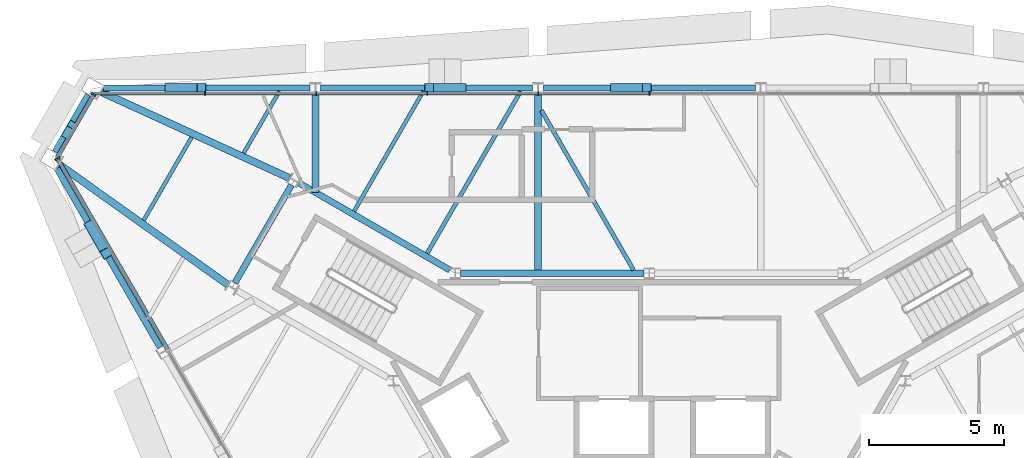
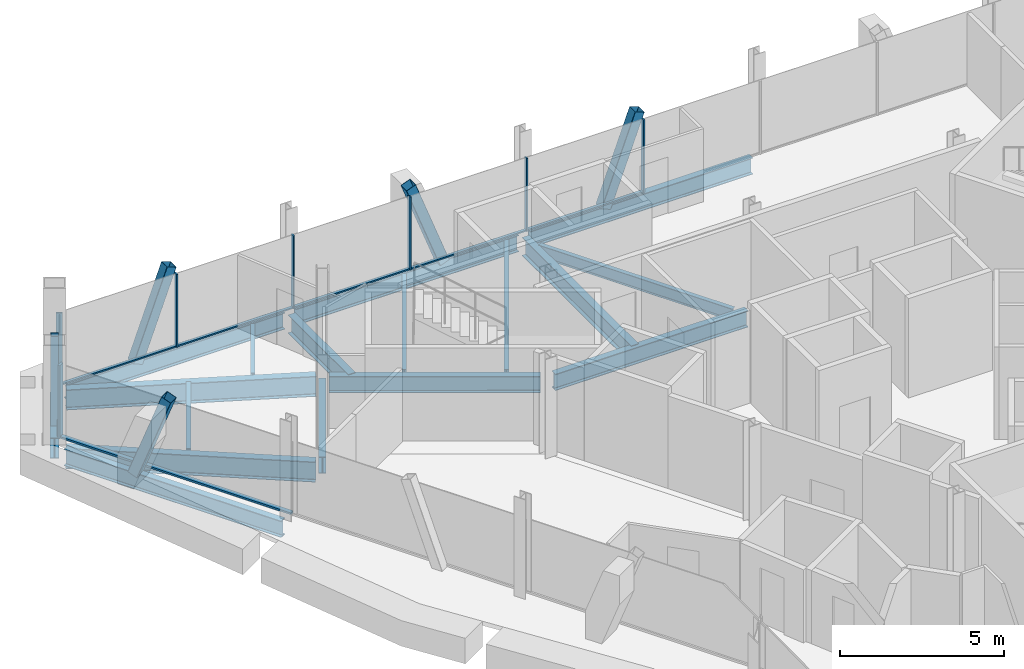
# One storey, part 5 of 12: 19 members, 17 beams, 3 elements without a shape of their own.
"""IFC4 building model written with IfcOpenShell, lengths in metres."""

from ifc_helpers import new_model, si_unit, direction, frame, origin, origin_2d, place, context, subcontext, project, spatial, rectangle, hollow_rectangle, i_section, extrude, material, material_profile, profile_set, type_object, element, aggregate, save


model = new_model("IFC4")

# Units and contexts
model_context = context("Model", 3, precision=1e-05, world=origin(), true_north=direction((0.0, 1.0)))
body_context = subcontext(model_context, "Body", "Model", "MODEL_VIEW")
ifc_project = project(units=[si_unit("LENGTHUNIT", "METRE"), si_unit("AREAUNIT", "SQUARE_METRE"), si_unit("VOLUMEUNIT", "CUBIC_METRE"), si_unit("PLANEANGLEUNIT", "RADIAN"), si_unit("MASSUNIT", "GRAM", prefix="KILO")], contexts=[model_context])

# Site, building, storey
site_placement = place(None, origin())
site = spatial("IfcSite", under=ifc_project, at=site_placement, CompositionType="ELEMENT")
building_placement = place(site_placement, origin())
building = spatial("IfcBuilding", under=site, at=building_placement, Name="Verrane Prism Tower", CompositionType="ELEMENT")
storey_placement = place(building_placement, frame((0.0, 0.0, 271.39990234375)))
storey = spatial("IfcBuildingStorey", under=building, at=storey_placement, Name="L68", CompositionType="ELEMENT", Elevation=271.39990234375)

# Member
ifc_material_1 = material(Name="Steel A500 Grade C", Category="steel")
ifc_material_profile_1 = material_profile(ifc_material_1, hollow_rectangle(XDim=0.25390625, YDim=0.25390625, WallThickness=0.009521484375, InnerFilletRadius=0.0048828125, OuterFilletRadius=0.014404296875, at=origin_2d()), Name="HSS10x10x3/8")
ifc_profile_set_1 = profile_set([ifc_material_profile_1], Name="Steel A500 Grade C")
member_type_1 = type_object("IfcMemberType", Name="Chamfer brace HSS10x10x3/8", PredefinedType="BRACE", material=ifc_profile_set_1)
member_1_placement = place(storey_placement, frame((-21.593017578125, 11.931640625, -0.242431640625), z_axis=(0.067784448094, 0.117358148939, 0.990773603541), x_axis=(-0.865936922628, 0.500153222552, 0.0)))
element("IfcMember", 1, at=member_1_placement, inside=storey, type_object=member_type_1, Name="Chamfer brace NW0 L68", PredefinedType="BRACE", context=body_context, shape_type="SweptSolid", body=[
    extrude(hollow_rectangle(XDim=0.25390625, YDim=0.25390625, WallThickness=0.009521484375, InnerFilletRadius=0.0048828125, OuterFilletRadius=0.014404296875, at=origin_2d()), origin(), (0.0, 0.0, 1.0), 3.13720703125),
])

# Beams
ifc_material_2 = material(Name="Steel A992", Category="steel")
ifc_material_profile_2 = material_profile(ifc_material_2, i_section(OverallWidth=0.2666015625, OverallDepth=0.7568359375, WebThickness=0.013916015625, FlangeThickness=0.019287109375, FilletRadius=0.0166015625, at=origin_2d()), Name="W30x108")
ifc_profile_set_2 = profile_set([ifc_material_profile_2], Name="Steel A992")
beam_type_1 = type_object("IfcBeamType", Name="Chamfer spandrel beam W30x108", PredefinedType="SPANDREL", material=ifc_profile_set_2)
beam_1_placement = place(storey_placement, frame((-20.75, 13.390380859375, -0.538330078125), z_axis=(-0.500436097356, -0.865773476415, 0.0), x_axis=(0.865773476415, -0.500436097356, 0.0)))
element("IfcBeam", 2, at=beam_1_placement, inside=storey, type_object=beam_type_1, Name="Chamfer spandrel beam L68", PredefinedType="SPANDREL", context=body_context, shape_type="SweptSolid", body=[
    extrude(i_section(OverallWidth=0.2666015625, OverallDepth=0.7568359375, WebThickness=0.013916015625, FlangeThickness=0.019287109375, FilletRadius=0.0166015625, at=origin_2d()), origin(), (0.0, 0.0, 1.0), 2.437744140625),
])
ifc_material_3 = material(Name="Steel A992", Category="steel")
ifc_material_profile_3 = material_profile(ifc_material_3, i_section(OverallWidth=0.23046875, OverallDepth=0.6171875, WebThickness=0.01318359375, FlangeThickness=0.022216796875, FilletRadius=0.012939453125, at=origin_2d()), Name="W24x94")
ifc_profile_set_3 = profile_set([ifc_material_profile_3], Name="Steel A992")
beam_type_2 = type_object("IfcBeamType", Name="Core ring girder W24x94", PredefinedType="BEAM", material=ifc_profile_set_3)
beam_2_placement = place(storey_placement, frame((-0.199462890625, 6.800048828125, -0.55859375), z_axis=(-1.0, 0.0, 0.0), x_axis=(0.0, -1.0, 0.0)))
element("IfcBeam", 3, at=beam_2_placement, inside=storey, type_object=beam_type_2, Name="Core ring girder L68", PredefinedType="BEAM", context=body_context, shape_type="SweptSolid", body=[
    extrude(i_section(OverallWidth=0.23046875, OverallDepth=0.6171875, WebThickness=0.01318359375, FlangeThickness=0.022216796875, FilletRadius=0.012939453125, at=origin_2d()), origin(), (0.0, 0.0, 1.0), 6.78125),
])
beam_3_placement = place(storey_placement, frame((-7.37939453125, 6.9150390625, -0.55859375), z_axis=(-0.866080992722, 0.499903704773, 0.0), x_axis=(-0.499903704773, -0.866080992722, 0.0)))
element("IfcBeam", 4, at=beam_3_placement, inside=storey, type_object=beam_type_2, Name="Core ring girder L68", PredefinedType="BEAM", context=body_context, shape_type="SweptSolid", body=[
    extrude(i_section(OverallWidth=0.23046875, OverallDepth=0.6171875, WebThickness=0.01318359375, FlangeThickness=0.022216796875, FilletRadius=0.012939453125, at=origin_2d()), origin(), (0.0, 0.0, 1.0), 6.451904296875),
])
beam_4_placement = place(storey_placement, frame((-13.240478515625, 10.06640625, -0.55859375), z_axis=(-0.500306681185, -0.865848268903, 0.0), x_axis=(0.865848268903, -0.500306681185, 0.0)))
element("IfcBeam", 5, at=beam_4_placement, inside=storey, type_object=beam_type_2, Name="Core ring girder L68", PredefinedType="BEAM", context=body_context, shape_type="SweptSolid", body=[
    extrude(i_section(OverallWidth=0.23046875, OverallDepth=0.6171875, WebThickness=0.01318359375, FlangeThickness=0.022216796875, FilletRadius=0.012939453125, at=origin_2d()), origin(), (0.0, 0.0, 1.0), 4.195556640625),
])
ifc_material_4 = material(Name="Steel A992", Category="steel")
ifc_material_profile_4 = material_profile(ifc_material_4, i_section(OverallWidth=0.2666015625, OverallDepth=0.7568359375, WebThickness=0.013916015625, FlangeThickness=0.019287109375, FilletRadius=0.0166015625, at=origin_2d()), Name="W30x108")
ifc_profile_set_4 = profile_set([ifc_material_profile_4], Name="Steel A992")
beam_type_3 = type_object("IfcBeamType", Name="Corner girder W30x108", PredefinedType="BEAM", material=ifc_profile_set_4)
for number, where, z_axis, x_axis, name in (
    (6, (-20.2802734375, 13.50390625, -0.598388671875), (0.909481370613, -0.415744677065, 0.0), (0.415744677065, 0.909481370613, 0.0), "Corner girder L68"),
    (7, (-21.833740234375, 10.81591796875, -0.598388671875), (0.814401339816, -0.580302040067, 0.0), (0.580302040067, 0.814401339816, 0.0), "Corner girder L68"),
):
    element("IfcBeam", number, at=place(storey_placement, frame(where, z_axis=z_axis, x_axis=x_axis)), inside=storey, type_object=beam_type_3, Name=name, PredefinedType="BEAM", context=body_context, shape_type="SweptSolid", body=[
        extrude(i_section(OverallWidth=0.2666015625, OverallDepth=0.7568359375, WebThickness=0.013916015625, FlangeThickness=0.019287109375, FilletRadius=0.0166015625, at=origin_2d()), origin(), (0.0, 0.0, 1.0), 7.650634765625),
    ])

# Members
ifc_material_5 = material(Name="Steel A500 Grade C", Category="steel")
ifc_material_profile_5 = material_profile(ifc_material_5, hollow_rectangle(XDim=0.355712890625, YDim=0.355712890625, WallThickness=0.0126953125, InnerFilletRadius=0.00634765625, OuterFilletRadius=0.01904296875, at=origin_2d()), Name="HSS14x14x1/2")
ifc_profile_set_5 = profile_set([ifc_material_profile_5], Name="Steel A500 Grade C")
member_type_2 = type_object("IfcMemberType", Name="Facade brace HSS14x14x1/2", PredefinedType="BRACE", material=ifc_profile_set_5)
for number, where, z_axis, x_axis, name in (
    (8, (-1.27978515625, 13.64990234375, -0.216552734375), (0.34797434891, 0.0, 0.937504054658), (0.0, 1.0, 0.0), "Facade brace N2 L68"),
    (9, (-6.960205078125, 13.64990234375, -0.216552734375), (-0.34797434891, 0.0, 0.937504054658), (0.0, -1.0, 0.0), "Facade brace N3 L68"),
    (10, (-17.759765625, 13.64990234375, -0.216552734375), (0.34797434891, 0.0, 0.937504054658), (0.0, 1.0, 0.0), "Facade brace N4 L68"),
):
    element("IfcMember", number, at=place(storey_placement, frame(where, z_axis=z_axis, x_axis=x_axis)), inside=storey, type_object=member_type_2, Name=name, PredefinedType="BRACE", context=body_context, shape_type="SweptSolid", body=[
        extrude(hollow_rectangle(XDim=0.355712890625, YDim=0.355712890625, WallThickness=0.0126953125, InnerFilletRadius=0.00634765625, OuterFilletRadius=0.01904296875, at=origin_2d()), origin(), (0.0, 0.0, 1.0), 3.4091796875),
    ])
member_2_placement = place(storey_placement, frame((-20.699951171875, 8.55908203125, -0.216552734375), z_axis=(0.174010693257, -0.30154692564, 0.937437854084), x_axis=(0.86613421761, 0.499811481546, 0.0)))
element("IfcMember", 11, at=member_2_placement, inside=storey, type_object=member_type_2, Name="Facade brace SW0 L68", PredefinedType="BRACE", context=body_context, shape_type="SweptSolid", body=[
    extrude(hollow_rectangle(XDim=0.355712890625, YDim=0.355712890625, WallThickness=0.0126953125, InnerFilletRadius=0.00634765625, OuterFilletRadius=0.01904296875, at=origin_2d()), origin(), (0.0, 0.0, 1.0), 3.409423828125),
])

# Beams
ifc_material_6 = material(Name="Steel A992", Category="steel")
ifc_material_profile_6 = material_profile(ifc_material_6, i_section(OverallWidth=0.140380859375, OverallDepth=0.40380859375, WebThickness=0.007080078125, FlangeThickness=0.01123046875, FilletRadius=0.01025390625, at=origin_2d()), Name="W16x31")
ifc_profile_set_6 = profile_set([ifc_material_profile_6], Name="Steel A992")
beam_type_4 = type_object("IfcBeamType", Name="Floor beam W16x31", PredefinedType="BEAM", material=ifc_profile_set_6)
beam_5_placement = place(storey_placement, frame((-10.925048828125, 9.094482421875, -0.36181640625), z_axis=(0.500005474671, 0.866022242959, 0.0), x_axis=(-0.866022242959, 0.500005474671, 0.0)))
element("IfcBeam", 12, at=beam_5_placement, inside=storey, type_object=beam_type_4, Name="Floor beam L68", PredefinedType="BEAM", context=body_context, shape_type="SweptSolid", body=[
    extrude(i_section(OverallWidth=0.140380859375, OverallDepth=0.40380859375, WebThickness=0.007080078125, FlangeThickness=0.01123046875, FilletRadius=0.01025390625, at=origin_2d()), origin(), (0.0, 0.0, 1.0), 5.12744140625),
])
beam_6_placement = place(storey_placement, frame((-15.01123046875, 11.2421875, -0.36181640625), z_axis=(0.50007632508, 0.865981332994, 0.0), x_axis=(-0.865981332994, 0.50007632508, 0.0)))
element("IfcBeam", 13, at=beam_6_placement, inside=storey, type_object=beam_type_4, Name="Floor beam L68", PredefinedType="BEAM", context=body_context, shape_type="SweptSolid", body=[
    extrude(i_section(OverallWidth=0.140380859375, OverallDepth=0.40380859375, WebThickness=0.007080078125, FlangeThickness=0.01123046875, FilletRadius=0.01025390625, at=origin_2d()), origin(), (0.0, 0.0, 1.0), 2.6474609375),
])
beam_7_placement = place(storey_placement, frame((-18.712158203125, 8.755615234375, -0.36181640625), z_axis=(0.499986454343, 0.866033224232, 0.0), x_axis=(-0.866033224232, 0.499986454343, 0.0)))
element("IfcBeam", 14, at=beam_7_placement, inside=storey, type_object=beam_type_4, Name="Floor beam L68", PredefinedType="BEAM", context=body_context, shape_type="SweptSolid", body=[
    extrude(i_section(OverallWidth=0.140380859375, OverallDepth=0.40380859375, WebThickness=0.007080078125, FlangeThickness=0.01123046875, FilletRadius=0.01025390625, at=origin_2d()), origin(), (0.0, 0.0, 1.0), 3.548828125),
])
ifc_material_7 = material(Name="Steel A992", Category="steel")
ifc_material_profile_7 = material_profile(ifc_material_7, i_section(OverallWidth=0.15234375, OverallDepth=0.449462890625, WebThickness=0.007568359375, FlangeThickness=0.0107421875, FilletRadius=0.01025390625, at=origin_2d()), Name="W18x35")
ifc_profile_set_7 = profile_set([ifc_material_profile_7], Name="Steel A992")
beam_type_5 = type_object("IfcBeamType", Name="Floor beam W18x35", PredefinedType="BEAM", material=ifc_profile_set_7)
beam_8_placement = place(storey_placement, frame((-0.583251953125, 6.9150390625, -0.384765625), z_axis=(-0.499997234054, 0.866027000698, 0.0), x_axis=(-0.866027000698, -0.499997234054, 0.0)))
element("IfcBeam", 15, at=beam_8_placement, inside=storey, type_object=beam_type_5, Name="Floor beam L68", PredefinedType="BEAM", context=body_context, shape_type="SweptSolid", body=[
    extrude(i_section(OverallWidth=0.15234375, OverallDepth=0.449462890625, WebThickness=0.007568359375, FlangeThickness=0.0107421875, FilletRadius=0.01025390625, at=origin_2d()), origin(), (0.0, 0.0, 1.0), 6.8193359375),
])
beam_9_placement = place(storey_placement, frame((-8.22265625, 7.53466796875, -0.384765625), z_axis=(0.500012221024, 0.866018347858, 0.0), x_axis=(-0.866018347858, 0.500012221024, 0.0)))
element("IfcBeam", 16, at=beam_9_placement, inside=storey, type_object=beam_type_5, Name="Floor beam L68", PredefinedType="BEAM", context=body_context, shape_type="SweptSolid", body=[
    extrude(i_section(OverallWidth=0.15234375, OverallDepth=0.449462890625, WebThickness=0.007568359375, FlangeThickness=0.0107421875, FilletRadius=0.01025390625, at=origin_2d()), origin(), (0.0, 0.0, 1.0), 6.928466796875),
])

# Curtain wall, members
ifc_material_8 = material(Name="Aluminium framed insulated glazing", Category="aluminium")
curtain_wall_type_1 = type_object("IfcCurtainWallType", Name="Curtain wall CW-C 4200 module", PredefinedType="NOTDEFINED", material=ifc_material_8)
curtain_wall_1_placement = place(storey_placement, origin())
curtain_wall_1 = element("IfcCurtainWall", 17, at=curtain_wall_1_placement, inside=storey, type_object=curtain_wall_type_1, Name="Glazed curtain wall north face L68", PredefinedType="NOTDEFINED")
ifc_material_9 = material(Name="Aluminium alloy 6063-T6", Category="aluminium")
ifc_material_profile_8 = material_profile(ifc_material_9, rectangle(XDim=0.139892578125, YDim=0.050048828125, at=origin_2d()), Name="Mullion 50x140 aluminium")
ifc_profile_set_8 = profile_set([ifc_material_profile_8], Name="Aluminium alloy 6063-T6")
member_type_3 = type_object("IfcMemberType", Name="Mullion 50x140 aluminium", PredefinedType="MULLION", material=ifc_profile_set_8)
member_3_placement = place(storey_placement, frame((0.0, 13.447265625, 0.0), z_axis=(0.0, 0.0, 1.0), x_axis=(0.0, -1.0, 0.0)))
member_3 = element("IfcMember", 18, at=member_3_placement, type_object=member_type_3, Name="CW66.2 mullion 6", PredefinedType="MULLION", context=body_context, shape_type="SweptSolid", body=[
    extrude(rectangle(XDim=0.139892578125, YDim=0.050048828125, at=origin_2d()), origin(), (0.0, 0.0, 1.0), 2.72314453125),
])
member_4_placement = place(storey_placement, frame((-4.109130859375, 13.447265625, 0.0), z_axis=(0.0, 0.0, 1.0), x_axis=(0.0, -1.0, 0.0)))
member_4 = element("IfcMember", 19, at=member_4_placement, type_object=member_type_3, Name="CW66.2 mullion 7", PredefinedType="MULLION", context=body_context, shape_type="SweptSolid", body=[
    extrude(rectangle(XDim=0.139892578125, YDim=0.050048828125, at=origin_2d()), origin(), (0.0, 0.0, 1.0), 2.72314453125),
])
member_5_placement = place(storey_placement, frame((-8.218505859375, 13.447265625, 0.0), z_axis=(0.0, 0.0, 1.0), x_axis=(0.0, -1.0, 0.0)))
member_5 = element("IfcMember", 20, at=member_5_placement, type_object=member_type_3, Name="CW66.2 mullion 8", PredefinedType="MULLION", context=body_context, shape_type="SweptSolid", body=[
    extrude(rectangle(XDim=0.139892578125, YDim=0.050048828125, at=origin_2d()), origin(), (0.0, 0.0, 1.0), 2.72314453125),
])
member_6_placement = place(storey_placement, frame((-12.32763671875, 13.447265625, 0.0), z_axis=(0.0, 0.0, 1.0), x_axis=(0.0, -1.0, 0.0)))
member_6 = element("IfcMember", 21, at=member_6_placement, type_object=member_type_3, Name="CW66.2 mullion 9", PredefinedType="MULLION", context=body_context, shape_type="SweptSolid", body=[
    extrude(rectangle(XDim=0.139892578125, YDim=0.050048828125, at=origin_2d()), origin(), (0.0, 0.0, 1.0), 2.72314453125),
])
member_7_placement = place(storey_placement, frame((-16.436767578125, 13.447265625, 0.0), z_axis=(0.0, 0.0, 1.0), x_axis=(0.0, -1.0, 0.0)))
member_7 = element("IfcMember", 22, at=member_7_placement, type_object=member_type_3, Name="CW66.2 mullion 10", PredefinedType="MULLION", context=body_context, shape_type="SweptSolid", body=[
    extrude(rectangle(XDim=0.139892578125, YDim=0.050048828125, at=origin_2d()), origin(), (0.0, 0.0, 1.0), 2.72314453125),
])

# Curtain wall, member
ifc_material_10 = material(Name="Aluminium framed insulated glazing", Category="aluminium")
curtain_wall_type_2 = type_object("IfcCurtainWallType", Name="Curtain wall CW-A 8400 module", PredefinedType="NOTDEFINED", material=ifc_material_10)
curtain_wall_2_placement = place(storey_placement, origin())
curtain_wall_2 = element("IfcCurtainWall", 23, at=curtain_wall_2_placement, inside=storey, type_object=curtain_wall_type_2, Name="Glazed curtain wall north-west corner L68", PredefinedType="NOTDEFINED")
ifc_material_11 = material(Name="Aluminium alloy 6063-T6", Category="aluminium")
ifc_material_profile_9 = material_profile(ifc_material_11, rectangle(XDim=0.199951171875, YDim=0.070068359375, at=origin_2d()), Name="Mullion 70x200 aluminium")
ifc_profile_set_9 = profile_set([ifc_material_profile_9], Name="Aluminium alloy 6063-T6")
member_type_4 = type_object("IfcMemberType", Name="Mullion 70x200 aluminium", PredefinedType="MULLION", material=ifc_profile_set_9)
member_8_placement = place(storey_placement, frame((-20.563720703125, 13.4169921875, 0.0), z_axis=(0.0, 0.0, 1.0), x_axis=(0.866024225493, -0.500002040855, 0.0)))
member_8 = element("IfcMember", 24, at=member_8_placement, type_object=member_type_4, Name="CW66.3 mullion 1", PredefinedType="MULLION", context=body_context, shape_type="SweptSolid", body=[
    extrude(rectangle(XDim=0.199951171875, YDim=0.070068359375, at=origin_2d()), origin(), (0.0, 0.0, 1.0), 2.72314453125),
])

curtain_wall_3_placement = place(storey_placement, origin())
curtain_wall_3 = element("IfcCurtainWall", 25, at=curtain_wall_3_placement, inside=storey, type_object=curtain_wall_type_2, Name="Glazed curtain wall south-west face L68", PredefinedType="NOTDEFINED")
member_9_placement = place(storey_placement, frame((-21.901123046875, 11.03955078125, 0.0), z_axis=(0.0, 0.0, 1.0), x_axis=(0.866024861728, 0.500000938868, 0.0)))
member_9 = element("IfcMember", 26, at=member_9_placement, type_object=member_type_4, Name="CW66.4 mullion 1", PredefinedType="MULLION", context=body_context, shape_type="SweptSolid", body=[
    extrude(rectangle(XDim=0.199951171875, YDim=0.070068359375, at=origin_2d()), origin(), (0.0, 0.0, 1.0), 2.72314453125),
])

# Beams
ifc_material_12 = material(Name="Steel A992", Category="steel")
ifc_material_profile_10 = material_profile(ifc_material_12, i_section(OverallWidth=0.25390625, OverallDepth=0.683349609375, WebThickness=0.012451171875, FlangeThickness=0.01904296875, FilletRadius=0.01513671875, at=origin_2d()), Name="W27x94")
ifc_profile_set_10 = profile_set([ifc_material_profile_10], Name="Steel A992")
beam_type_6 = type_object("IfcBeamType", Name="Radial girder W27x94", PredefinedType="BEAM", material=ifc_profile_set_10)
beam_10_placement = place(storey_placement, frame((-4.1201171875, 13.4619140625, -0.5615234375), z_axis=(0.0, -1.0, 0.0), x_axis=(1.0, 0.0, 0.0)))
element("IfcBeam", 27, at=beam_10_placement, inside=storey, type_object=beam_type_6, Name="Radial girder L68", PredefinedType="BEAM", context=body_context, shape_type="SweptSolid", body=[
    extrude(i_section(OverallWidth=0.25390625, OverallDepth=0.683349609375, WebThickness=0.012451171875, FlangeThickness=0.01904296875, FilletRadius=0.01513671875, at=origin_2d()), origin(), (0.0, 0.0, 1.0), 6.661865234375),
])
beam_11_placement = place(storey_placement, frame((-12.360107421875, 13.4619140625, -0.5615234375), z_axis=(0.0, -1.0, 0.0), x_axis=(1.0, 0.0, 0.0)))
element("IfcBeam", 28, at=beam_11_placement, inside=storey, type_object=beam_type_6, Name="Radial girder L68", PredefinedType="BEAM", context=body_context, shape_type="SweptSolid", body=[
    extrude(i_section(OverallWidth=0.25390625, OverallDepth=0.683349609375, WebThickness=0.012451171875, FlangeThickness=0.01904296875, FilletRadius=0.01513671875, at=origin_2d()), origin(), (0.0, 0.0, 1.0), 3.672119140625),
])
ifc_material_13 = material(Name="Steel A992", Category="steel")
ifc_material_profile_11 = material_profile(ifc_material_13, i_section(OverallWidth=0.23046875, OverallDepth=0.6171875, WebThickness=0.01318359375, FlangeThickness=0.022216796875, FilletRadius=0.012939453125, at=origin_2d()), Name="W24x94")
ifc_profile_set_11 = profile_set([ifc_material_profile_11], Name="Steel A992")
beam_type_7 = type_object("IfcBeamType", Name="Spandrel beam W24x94", PredefinedType="SPANDREL", material=ifc_profile_set_11)
for number, where, z_axis, x_axis, name in (
    (29, (3.923095703125, 13.64990234375, -0.468505859375), (-1.0, 0.0, 0.0), (0.0, -1.0, 0.0), "Spandrel beam L68"),
    (30, (-4.31689453125, 13.64990234375, -0.468505859375), (-1.0, 0.0, 0.0), (0.0, -1.0, 0.0), "Spandrel beam L68"),
):
    element("IfcBeam", number, at=place(storey_placement, frame(where, z_axis=z_axis, x_axis=x_axis)), inside=storey, type_object=beam_type_7, Name=name, PredefinedType="SPANDREL", context=body_context, shape_type="SweptSolid", body=[
        extrude(i_section(OverallWidth=0.23046875, OverallDepth=0.6171875, WebThickness=0.01318359375, FlangeThickness=0.022216796875, FilletRadius=0.012939453125, at=origin_2d()), origin(), (0.0, 0.0, 1.0), 7.84619140625),
    ])
beam_12_placement = place(storey_placement, frame((-12.556884765625, 13.64990234375, -0.468505859375), z_axis=(-1.0, 0.0, 0.0), x_axis=(0.0, -1.0, 0.0)))
element("IfcBeam", 31, at=beam_12_placement, inside=storey, type_object=beam_type_7, Name="Spandrel beam L68", PredefinedType="SPANDREL", context=body_context, shape_type="SweptSolid", body=[
    extrude(i_section(OverallWidth=0.23046875, OverallDepth=0.6171875, WebThickness=0.01318359375, FlangeThickness=0.022216796875, FilletRadius=0.012939453125, at=origin_2d()), origin(), (0.0, 0.0, 1.0), 7.638916015625),
])
beam_13_placement = place(storey_placement, frame((-21.91796875, 10.669921875, -0.468505859375), z_axis=(0.499791590914, -0.866145695395, 0.0), x_axis=(0.866145695395, 0.499791590914, 0.0)))
element("IfcBeam", 32, at=beam_13_placement, inside=storey, type_object=beam_type_7, Name="Spandrel beam L68", PredefinedType="SPANDREL", context=body_context, shape_type="SweptSolid", body=[
    extrude(i_section(OverallWidth=0.23046875, OverallDepth=0.6171875, WebThickness=0.01318359375, FlangeThickness=0.022216796875, FilletRadius=0.012939453125, at=origin_2d()), origin(), (0.0, 0.0, 1.0), 7.642333984375),
])

# Member
ifc_material_14 = material(Name="Aluminium alloy 6063-T6", Category="aluminium")
ifc_material_profile_12 = material_profile(ifc_material_14, rectangle(XDim=0.10009765625, YDim=0.050048828125, at=origin_2d()), Name="Transom 50x100 aluminium")
ifc_profile_set_12 = profile_set([ifc_material_profile_12], Name="Aluminium alloy 6063-T6")
member_type_5 = type_object("IfcMemberType", Name="Transom 50x100 aluminium", PredefinedType="USERDEFINED", material=ifc_profile_set_12)
member_10_placement = place(storey_placement, frame((-0.02490234375, 13.447265625, 0.025146484375), z_axis=(-1.0, 0.0, 0.0), x_axis=(0.0, -1.0, 0.0)))
member_10 = element("IfcMember", 33, at=member_10_placement, type_object=member_type_5, Name="CW66.2 transom 6", ObjectType="TRANSOM", PredefinedType="USERDEFINED", context=body_context, shape_type="SweptSolid", body=[
    extrude(rectangle(XDim=0.10009765625, YDim=0.050048828125, at=origin_2d()), origin(), (0.0, 0.0, 1.0), 4.059326171875),
])

member_11_placement = place(storey_placement, frame((-4.13427734375, 13.447265625, 0.025146484375), z_axis=(-1.0, 0.0, 0.0), x_axis=(0.0, -1.0, 0.0)))
member_11 = element("IfcMember", 34, at=member_11_placement, type_object=member_type_5, Name="CW66.2 transom 7", ObjectType="TRANSOM", PredefinedType="USERDEFINED", context=body_context, shape_type="SweptSolid", body=[
    extrude(rectangle(XDim=0.10009765625, YDim=0.050048828125, at=origin_2d()), origin(), (0.0, 0.0, 1.0), 4.05908203125),
])

member_12_placement = place(storey_placement, frame((-8.243408203125, 13.447265625, 0.025146484375), z_axis=(-1.0, 0.0, 0.0), x_axis=(0.0, -1.0, 0.0)))
member_12 = element("IfcMember", 35, at=member_12_placement, type_object=member_type_5, Name="CW66.2 transom 8", ObjectType="TRANSOM", PredefinedType="USERDEFINED", context=body_context, shape_type="SweptSolid", body=[
    extrude(rectangle(XDim=0.10009765625, YDim=0.050048828125, at=origin_2d()), origin(), (0.0, 0.0, 1.0), 4.059326171875),
])

member_13_placement = place(storey_placement, frame((-12.3525390625, 13.447265625, 0.025146484375), z_axis=(-1.0, 0.0, 0.0), x_axis=(0.0, -1.0, 0.0)))
member_13 = element("IfcMember", 36, at=member_13_placement, type_object=member_type_5, Name="CW66.2 transom 9", ObjectType="TRANSOM", PredefinedType="USERDEFINED", context=body_context, shape_type="SweptSolid", body=[
    extrude(rectangle(XDim=0.10009765625, YDim=0.050048828125, at=origin_2d()), origin(), (0.0, 0.0, 1.0), 4.059326171875),
])

member_14_placement = place(storey_placement, frame((-16.4619140625, 13.447265625, 0.025146484375), z_axis=(-1.0, 0.0, 0.0), x_axis=(0.0, -1.0, 0.0)))
member_14 = element("IfcMember", 37, at=member_14_placement, type_object=member_type_5, Name="CW66.2 transom 10", ObjectType="TRANSOM", PredefinedType="USERDEFINED", context=body_context, shape_type="SweptSolid", body=[
    extrude(rectangle(XDim=0.10009765625, YDim=0.050048828125, at=origin_2d()), origin(), (0.0, 0.0, 1.0), 4.084228515625),
])

aggregate(curtain_wall_1, [member_3, member_4, member_5, member_6, member_7, member_10, member_11, member_12, member_13, member_14])

ifc_material_15 = material(Name="Aluminium alloy 6063-T6", Category="aluminium")
ifc_material_profile_13 = material_profile(ifc_material_15, rectangle(XDim=0.14990234375, YDim=0.070068359375, at=origin_2d()), Name="Transom 70x150 aluminium")
ifc_profile_set_13 = profile_set([ifc_material_profile_13], Name="Aluminium alloy 6063-T6")
member_type_6 = type_object("IfcMemberType", Name="Transom 70x150 aluminium", PredefinedType="USERDEFINED", material=ifc_profile_set_13)
member_15_placement = place(storey_placement, frame((-20.5810546875, 13.386474609375, 0.03515625), z_axis=(-0.50003581814, -0.866004723184, 0.0), x_axis=(0.866004723184, -0.50003581814, 0.0)))
member_15 = element("IfcMember", 38, at=member_15_placement, type_object=member_type_6, Name="CW66.3 transom 1", ObjectType="TRANSOM", PredefinedType="USERDEFINED", context=body_context, shape_type="SweptSolid", body=[
    extrude(rectangle(XDim=0.14990234375, YDim=0.070068359375, at=origin_2d()), origin(), (0.0, 0.0, 1.0), 2.675048828125),
])

aggregate(curtain_wall_2, [member_8, member_15])

member_16_placement = place(storey_placement, frame((-21.8837890625, 11.00927734375, 0.03515625), z_axis=(0.500006361831, -0.866021730749, 0.0), x_axis=(0.866021730749, 0.500006361831, 0.0)))
member_16 = element("IfcMember", 39, at=member_16_placement, type_object=member_type_6, Name="CW66.4 transom 1", ObjectType="TRANSOM", PredefinedType="USERDEFINED", context=body_context, shape_type="SweptSolid", body=[
    extrude(rectangle(XDim=0.14990234375, YDim=0.070068359375, at=origin_2d()), origin(), (0.0, 0.0, 1.0), 8.11376953125),
])

aggregate(curtain_wall_3, [member_9, member_16])

save(model, "model.ifc")
